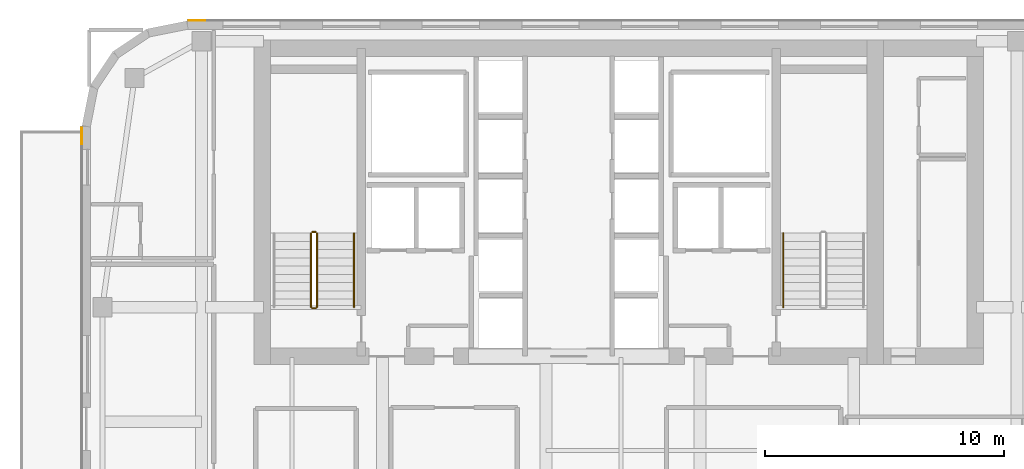
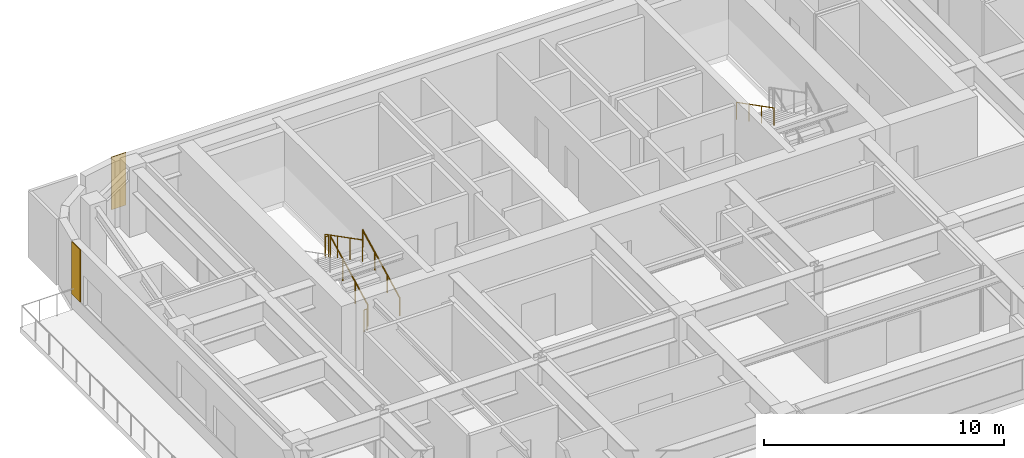
# One storey, part 18 of 20: 6 railings, 2 coverings.
"""IFC4 building model written with IfcOpenShell, lengths in metres."""

from ifc_helpers import new_model, si_unit, direction, frame, origin, origin_2d, place, context, subcontext, project, spatial, polyline, circle, outline, extrude, material, layer, layer_set, type_object, element, save


model = new_model("IFC4")

# Units and contexts
model_context = context("Model", 3, precision=1e-05, world=origin(), true_north=direction((0.0, 1.0)))
body_context = subcontext(model_context, "Body", "Model", "MODEL_VIEW")
ifc_project = project(units=[si_unit("LENGTHUNIT", "METRE"), si_unit("AREAUNIT", "SQUARE_METRE"), si_unit("VOLUMEUNIT", "CUBIC_METRE"), si_unit("PLANEANGLEUNIT", "RADIAN"), si_unit("MASSUNIT", "GRAM", prefix="KILO")], contexts=[model_context])

# Site, building, storey
site_placement = place(None, origin())
site = spatial("IfcSite", under=ifc_project, at=site_placement, CompositionType="ELEMENT")
building_placement = place(site_placement, origin())
building = spatial("IfcBuilding", under=site, at=building_placement, Name="Tolvann Quenvar Hotel", CompositionType="ELEMENT")
storey_placement = place(building_placement, frame((0.0, 0.0, 147.050048828125)))
storey = spatial("IfcBuildingStorey", under=building, at=storey_placement, Name="L38", CompositionType="ELEMENT", Elevation=147.050048828125)

# Coverings
ifc_material_1 = material(Name="Kiln-fired red architectural face brick cladding", Category="masonry")
ifc_layer = layer(ifc_material_1, 0.0400390625)
ifc_layer_set = layer_set([ifc_layer], Name="Kiln-fired red architectural face brick cladding")
covering_type = type_object("IfcCoveringType", Name="COV_CLAD_BRICK_40", PredefinedType="CLADDING", material=ifc_layer_set)
covering_1_placement = place(storey_placement, frame((0.0, 0.0, 0.699951171875)))
element("IfcCovering", 1, at=covering_1_placement, inside=storey, type_object=covering_type, Name="Brick Pier Cladding (L38-E18-P2)", PredefinedType="CLADDING", context=body_context, shape_type="SweptSolid", body=[
    extrude(outline(polyline([(7.76708984375, 46.0), (7.067138671875, 46.0), (7.067138671875, 46.0400390625), (7.76708984375, 46.0400390625), (7.76708984375, 46.0)])), origin(), (0.0, 0.0, 1.0), 2.669921875),
])
covering_2_placement = place(storey_placement, frame((0.0, 0.0, 0.699951171875)))
element("IfcCovering", 2, at=covering_2_placement, inside=storey, type_object=covering_type, Name="Brick Pier Cladding (L38-E23-P1)", PredefinedType="CLADDING", context=body_context, shape_type="SweptSolid", body=[
    extrude(outline(polyline([(2.60009765625, 41.53271484375), (2.60009765625, 40.832763671875), (2.56005859375, 40.832763671875), (2.56005859375, 41.53271484375), (2.60009765625, 41.53271484375)])), origin(), (0.0, 0.0, 1.0), 2.669921875),
])

# Railings
ifc_material_2 = material(Name="Brushed 316 stainless steel balustrade and handrail", Category="steel")
railing_type_1 = type_object("IfcRailingType", Name="GUARDRAIL", PredefinedType="GUARDRAIL", material=ifc_material_2)
railing_1_placement = place(storey_placement, frame((12.449951171875, 34.0, 0.177490234375)))
element("IfcRailing", 3, at=railing_1_placement, inside=storey, type_object=railing_type_1, Name="L38 ST-C1 stair guard 1", PredefinedType="GUARDRAIL", context=body_context, shape_type="SweptSolid", body=[
    extrude(circle(Radius=0.02392578125, at=origin_2d()), frame((0.0, 0.0, 1.09619140625), z_axis=(0.0, 0.889221982265, 0.45747597342), x_axis=(-1.0, 0.0, 0.0)), (0.0, 0.0, 1.0), 3.49169921875),
    extrude(circle(Radius=0.02099609375, at=origin_2d()), origin(), (0.0, 0.0, 1.0), 1.072021484375),
    extrude(circle(Radius=0.02099609375, at=origin_2d()), frame((0.0, 1.034912109375, 0.532470703125)), (0.0, 0.0, 1.0), 1.072021484375),
    extrude(circle(Radius=0.02099609375, at=origin_2d()), frame((0.0, 2.070068359375, 1.06494140625)), (0.0, 0.0, 1.0), 1.072021484375),
    extrude(circle(Radius=0.02099609375, at=origin_2d()), frame((0.0, 3.10498046875, 1.597412109375)), (0.0, 0.0, 1.0), 1.072021484375),
])
railing_2_placement = place(storey_placement, frame((12.39990234375, 37.155029296875, 1.77490234375)))
element("IfcRailing", 4, at=railing_2_placement, inside=storey, type_object=railing_type_1, Name="L38 ST-C1 stair guard 2", PredefinedType="GUARDRAIL", context=body_context, shape_type="SweptSolid", body=[
    extrude(circle(Radius=0.02392578125, at=origin_2d()), frame((0.0, 0.0, 1.09619140625), z_axis=(-1.0, 0.0, 0.0), x_axis=(0.0, -1.0, 0.0)), (0.0, 0.0, 1.0), 0.14990234375),
    extrude(circle(Radius=0.02099609375, at=origin_2d()), origin(), (0.0, 0.0, 1.0), 1.072021484375),
    extrude(circle(Radius=0.02099609375, at=origin_2d()), frame((-0.14990234375, 0.0, 0.0)), (0.0, 0.0, 1.0), 1.072021484375),
])
railing_3_placement = place(storey_placement, frame((12.199951171875, 37.10498046875, 1.952392578125)))
element("IfcRailing", 5, at=railing_3_placement, inside=storey, type_object=railing_type_1, Name="L38 ST-C1 stair guard 3", PredefinedType="GUARDRAIL", context=body_context, shape_type="SweptSolid", body=[
    extrude(circle(Radius=0.02392578125, at=origin_2d()), frame((0.0, 0.0, 1.09619140625), z_axis=(0.0, -0.88919353882, 0.457531256332), x_axis=(1.0, 0.0, 0.0)), (0.0, 0.0, 1.0), 3.491943359375),
    extrude(circle(Radius=0.02099609375, at=origin_2d()), origin(), (0.0, 0.0, 1.0), 1.072021484375),
    extrude(circle(Radius=0.02099609375, at=origin_2d()), frame((0.0, -1.034912109375, 0.532470703125)), (0.0, 0.0, 1.0), 1.072021484375),
    extrude(circle(Radius=0.02099609375, at=origin_2d()), frame((0.0, -2.070068359375, 1.065185546875)), (0.0, 0.0, 1.0), 1.072021484375),
    extrude(circle(Radius=0.02099609375, at=origin_2d()), frame((0.0, -3.10498046875, 1.59765625)), (0.0, 0.0, 1.0), 1.072021484375),
])
railing_4_placement = place(storey_placement, frame((12.39990234375, 33.949951171875, 0.0)))
element("IfcRailing", 6, at=railing_4_placement, inside=storey, type_object=railing_type_1, Name="L38 ST-C1 stair guard 4", PredefinedType="GUARDRAIL", context=body_context, shape_type="SweptSolid", body=[
    extrude(circle(Radius=0.02392578125, at=origin_2d()), frame((0.0, 0.0, 1.09619140625), z_axis=(-1.0, 0.0, 0.0), x_axis=(0.0, -1.0, 0.0)), (0.0, 0.0, 1.0), 0.14990234375),
    extrude(circle(Radius=0.02099609375, at=origin_2d()), origin(), (0.0, 0.0, 1.0), 1.072021484375),
    extrude(circle(Radius=0.02099609375, at=origin_2d()), frame((-0.14990234375, 0.0, 0.0)), (0.0, 0.0, 1.0), 1.072021484375),
])
railing_type_2 = type_object("IfcRailingType", Name="HANDRAIL", PredefinedType="HANDRAIL", material=ifc_material_2)
railing_5_placement = place(storey_placement, frame((14.0, 34.0, 0.177490234375)))
element("IfcRailing", 7, at=railing_5_placement, inside=storey, type_object=railing_type_2, Name="L38 ST-C1 stair handrail 1", PredefinedType="HANDRAIL", context=body_context, shape_type="SweptSolid", body=[
    extrude(circle(Radius=0.02392578125, at=origin_2d()), frame((0.0, 0.0, 0.8759765625), z_axis=(0.0, 0.889221982265, 0.45747597342), x_axis=(-1.0, 0.0, 0.0)), (0.0, 0.0, 1.0), 3.49169921875),
    extrude(circle(Radius=0.02099609375, at=origin_2d()), origin(), (0.0, 0.0, 1.0), 0.851806640625),
    extrude(circle(Radius=0.02099609375, at=origin_2d()), frame((0.0, 1.034912109375, 0.532470703125)), (0.0, 0.0, 1.0), 0.851806640625),
    extrude(circle(Radius=0.02099609375, at=origin_2d()), frame((0.0, 2.070068359375, 1.06494140625)), (0.0, 0.0, 1.0), 0.851806640625),
    extrude(circle(Radius=0.02099609375, at=origin_2d()), frame((0.0, 3.10498046875, 1.597412109375)), (0.0, 0.0, 1.0), 0.851806640625),
])
railing_6_placement = place(storey_placement, frame((32.0, 37.10498046875, 1.952392578125)))
element("IfcRailing", 8, at=railing_6_placement, inside=storey, type_object=railing_type_2, Name="L38 ST-C2 stair handrail 2", PredefinedType="HANDRAIL", context=body_context, shape_type="SweptSolid", body=[
    extrude(circle(Radius=0.02392578125, at=origin_2d()), frame((0.0, 0.0, 0.8759765625), z_axis=(0.0, -0.88919353882, 0.457531256332), x_axis=(1.0, 0.0, 0.0)), (0.0, 0.0, 1.0), 3.491943359375),
    extrude(circle(Radius=0.02099609375, at=origin_2d()), origin(), (0.0, 0.0, 1.0), 0.851806640625),
    extrude(circle(Radius=0.02099609375, at=origin_2d()), frame((0.0, -1.034912109375, 0.532470703125)), (0.0, 0.0, 1.0), 0.851806640625),
    extrude(circle(Radius=0.02099609375, at=origin_2d()), frame((0.0, -2.070068359375, 1.065185546875)), (0.0, 0.0, 1.0), 0.851806640625),
    extrude(circle(Radius=0.02099609375, at=origin_2d()), frame((0.0, -3.10498046875, 1.59765625)), (0.0, 0.0, 1.0), 0.851806640625),
])

save(model, "model.ifc")
